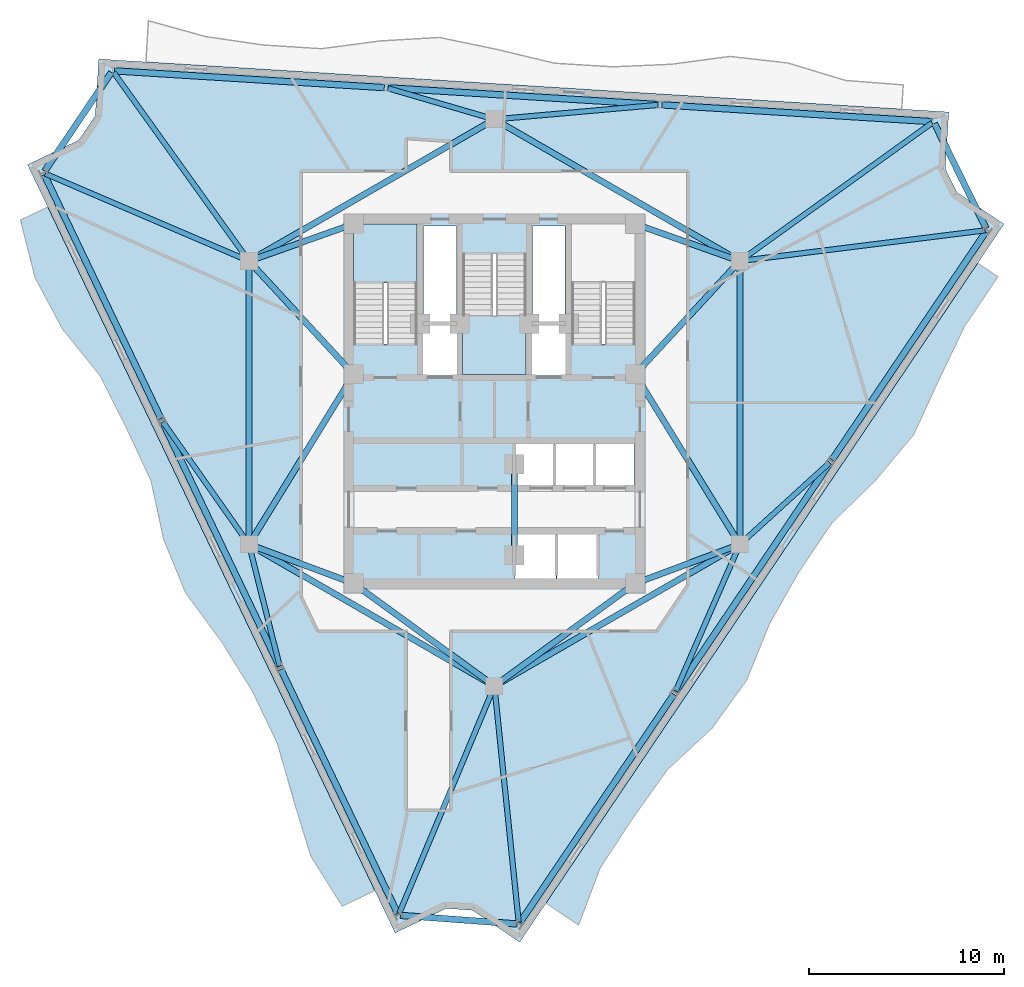
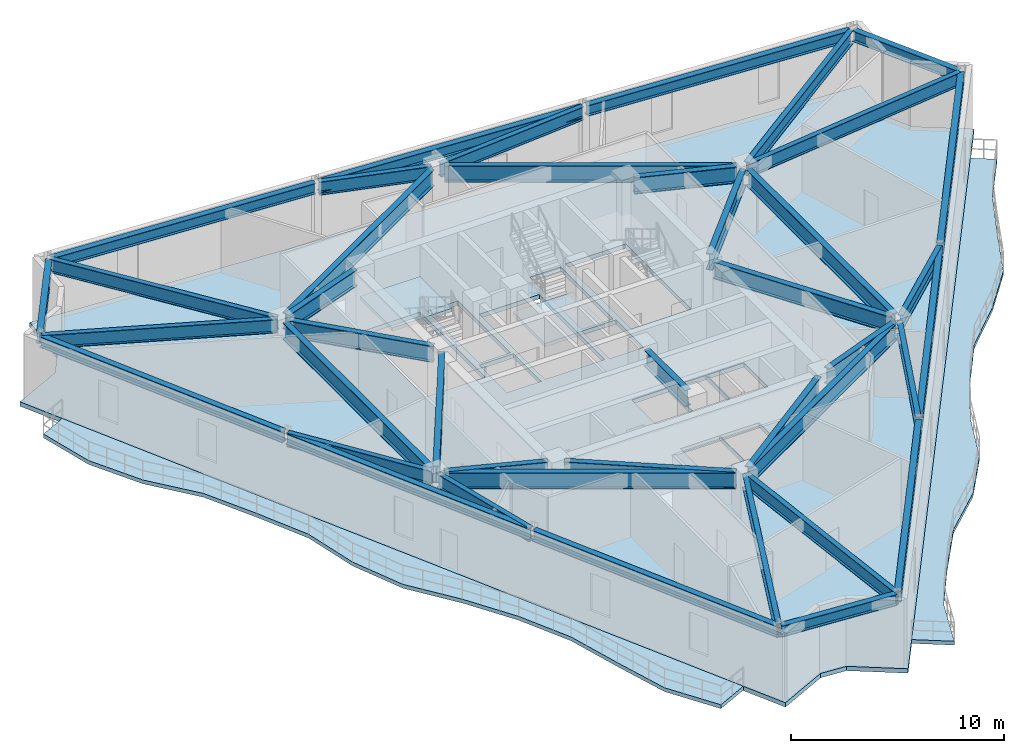
# One storey, part 4 of 11: 41 beams, 5 slabs, 2 elements without a shape of their own.
"""IFC4 building model written with IfcOpenShell, lengths in metres."""

import ifcopenshell
import ifcopenshell.guid

model = None  # the IFC model being written
_history = None  # IfcOwnerHistory: only IFC2X3 demands one
_inside = {}  # id of a spatial element -> (the spatial element, [elements in it])
_under = {}  # id of a project, library or spatial element -> (it, [spatial elements below it])
_declared = {}  # id of a project -> (the project, [libraries it declares])
_typed = {}  # id of a type object -> (the type object, [elements of that type])
_made_of = {}  # id of a material, layer set ... -> (it, [elements and type objects made of it])


def new_model(schema):
    """Start an empty IFC model of exactly this schema.

    Asked for "IFC4X3", IfcOpenShell would pick the latest addendum, in which some entities
    have other attributes; the version numbers below select the first issue.
    IFC2X3 requires an IfcOwnerHistory on every rooted entity: one is made here for all.
    """
    global model, _history
    if schema == "IFC4X3":
        model = ifcopenshell.file(schema_version=(4, 3, 0, 0))
    else:
        model = ifcopenshell.file(schema=schema)
    _inside.clear()
    _under.clear()
    _declared.clear()
    _typed.clear()
    _made_of.clear()
    _history = None
    if model.schema == "IFC2X3":
        org = make("IfcOrganization", Name="unknown")
        user = make(
            "IfcPersonAndOrganization",
            ThePerson=make("IfcPerson", FamilyName="unknown"),
            TheOrganization=org,
        )
        app = make(
            "IfcApplication",
            ApplicationDeveloper=org,
            Version="unknown",
            ApplicationFullName="unknown",
            ApplicationIdentifier="unknown",
        )
        _history = make(
            "IfcOwnerHistory",
            OwningUser=user,
            OwningApplication=app,
            ChangeAction="ADDED",
            CreationDate=0,
        )
    return model


def make(cls, **values):
    """One entity of the class cls with the attributes given. An attribute that is None is left unset."""
    return model.create_entity(
        cls, **{name: value for name, value in values.items() if value is not None}
    )


def rooted(cls, **values):
    """An entity with a GlobalId (a new one), such as an element, a storey or a relation."""
    return make(cls, GlobalId=ifcopenshell.guid.new(), OwnerHistory=_history, **values)


def si_unit(unit_type, name, prefix=None):
    """IfcSIUnit, for example si_unit("LENGTHUNIT", "METRE", prefix="MILLI")."""
    return make("IfcSIUnit", UnitType=unit_type, Prefix=prefix, Name=name)


def assignment(units):
    """IfcUnitAssignment: the units of a project."""
    return None if units is None else make("IfcUnitAssignment", Units=units)


def point(xyz):
    """IfcCartesianPoint."""
    return None if xyz is None else make("IfcCartesianPoint", Coordinates=xyz)


def direction(xyz):
    """IfcDirection."""
    return None if xyz is None else make("IfcDirection", DirectionRatios=xyz)


def frame(location, z_axis=None, x_axis=None):
    """IfcAxis2Placement3D, a coordinate frame: its origin and axes. An axis left out is left unset."""
    return make(
        "IfcAxis2Placement3D",
        Location=point(location),
        Axis=direction(z_axis),
        RefDirection=direction(x_axis),
    )


def frame_2d(location, x_axis=None):
    """IfcAxis2Placement2D, a coordinate frame in the plane: its origin and x axis."""
    return make(
        "IfcAxis2Placement2D", Location=point(location), RefDirection=direction(x_axis)
    )


def origin():
    """The frame at (0, 0, 0) with its axes left unset."""
    return frame((0.0, 0.0, 0.0))


def origin_2d():
    """The frame at (0, 0) in the plane with its x axis left unset."""
    return frame_2d((0.0, 0.0))


def place(relative_to, where):
    """IfcLocalPlacement: puts the frame where relative to a parent placement (None: the world)."""
    return make(
        "IfcLocalPlacement", PlacementRelTo=relative_to, RelativePlacement=where
    )


def context(
    kind, dimensions, precision=None, world=None, true_north=None, identifier=None
):
    """IfcGeometricRepresentationContext, for example the 3D "Model" context."""
    return make(
        "IfcGeometricRepresentationContext",
        ContextIdentifier=identifier,
        ContextType=kind,
        CoordinateSpaceDimension=dimensions,
        Precision=precision,
        WorldCoordinateSystem=world,
        TrueNorth=true_north,
    )


def subcontext(parent, identifier, kind, view, scale=None):
    """IfcGeometricRepresentationSubContext, for example "Body" below "Model"."""
    return make(
        "IfcGeometricRepresentationSubContext",
        ContextIdentifier=identifier,
        ContextType=kind,
        ParentContext=parent,
        TargetScale=scale,
        TargetView=view,
    )


def project(units=None, contexts=None):
    """IfcProject with its units and contexts."""
    return rooted(
        "IfcProject",
        Name="project",
        RepresentationContexts=contexts,
        UnitsInContext=assignment(units),
    )


def spatial(cls, under=None, at=None, **own):
    """A site, building, storey or space (cls), placed at a placement, below another one or the project."""
    s = rooted(cls, ObjectPlacement=at, **own)
    if under is not None:
        _under.setdefault(under.id(), (under, []))[1].append(s)
    return s


def polyline(points):
    """IfcPolyline through the points."""
    return make("IfcPolyline", Points=[point(p) for p in points])


def profile(cls, at=None, kind="AREA", **sizes):
    """A parametric profile (cls). Its sizes go by their IFC names, for example OverallWidth=200.0."""
    return make(cls, ProfileType=kind, Position=at, **sizes)


def i_section(**sizes):
    """IfcIShapeProfileDef."""
    return profile("IfcIShapeProfileDef", **sizes)


def outline(outer, holes=None, kind="AREA"):
    """IfcArbitraryClosedProfileDef: a profile drawn as a closed curve; with holes, ...WithVoids."""
    if holes is None:
        return make("IfcArbitraryClosedProfileDef", ProfileType=kind, OuterCurve=outer)
    return make(
        "IfcArbitraryProfileDefWithVoids",
        ProfileType=kind,
        OuterCurve=outer,
        InnerCurves=holes,
    )


def extrude(swept, where, along, depth):
    """IfcExtrudedAreaSolid: the profile swept, set in the frame where, extruded along a direction by depth."""
    return make(
        "IfcExtrudedAreaSolid",
        SweptArea=swept,
        Position=where,
        ExtrudedDirection=direction(along),
        Depth=depth,
    )


def shape(context_of_items, identifier, shape_type, items):
    """IfcShapeRepresentation: the items that make up one representation, for example the "Body"."""
    return make(
        "IfcShapeRepresentation",
        ContextOfItems=context_of_items,
        RepresentationIdentifier=identifier,
        RepresentationType=shape_type,
        Items=items,
    )


def material(Name=None, Category=None):
    """IfcMaterial."""
    return make("IfcMaterial", Name=Name, Category=Category)


def layer(
    of_material, thickness, ventilated=None, Name=None, Category=None, Priority=None
):
    """IfcMaterialLayer: one layer of a wall or slab, of a material (None: an air gap)."""
    return make(
        "IfcMaterialLayer",
        Material=of_material,
        LayerThickness=thickness,
        IsVentilated=ventilated,
        Name=Name,
        Category=Category,
        Priority=Priority,
    )


def layer_set(layers, Name=None):
    """IfcMaterialLayerSet."""
    return make("IfcMaterialLayerSet", MaterialLayers=layers, LayerSetName=Name)


def material_profile(
    of_material, cross_section, Name=None, Category=None, Priority=None
):
    """IfcMaterialProfile: a cross section and its material."""
    return make(
        "IfcMaterialProfile",
        Name=Name,
        Material=of_material,
        Profile=cross_section,
        Priority=Priority,
        Category=Category,
    )


def profile_set(profiles, Name=None, composite=None):
    """IfcMaterialProfileSet."""
    return make(
        "IfcMaterialProfileSet",
        Name=Name,
        MaterialProfiles=profiles,
        CompositeProfile=composite,
    )


def made_of(thing, what):
    """Note that an element or type object is made of a material, layer set ...; save() writes the relation."""
    if what is not None:
        _made_of.setdefault(what.id(), (what, []))[1].append(thing)
    return thing


def type_object(cls, material=None, **own):
    """A type object (cls), such as IfcWallType, which elements share."""
    return made_of(rooted(cls, **own), material)


def element(
    cls,
    number,
    at=None,
    inside=None,
    cuts=None,
    type_object=None,
    material=None,
    context=None,
    identifier="Body",
    shape_type=None,
    held_by="IfcProductDefinitionShape",
    body=None,
    shapes=None,
    **own,
):
    """One element of the class cls, such as IfcWall. Its Tag is "e" and its number.

    at: its placement. inside: the storey or other place that contains it. cuts: it is an
    opening in that element (IfcRelVoidsElement). A single representation is given by context,
    identifier, shape_type and body (its items); several are given by shapes. held_by: the class
    of the entity that holds the representations. save() writes the other relations.
    """
    e = rooted(cls, Tag="e%d" % number, ObjectPlacement=at, **own)
    if body is not None:
        shapes = [shape(context, identifier, shape_type, body)]
    if shapes is not None:
        e.Representation = make(held_by, Representations=shapes)
    if inside is not None:
        _inside.setdefault(inside.id(), (inside, []))[1].append(e)
    if cuts is not None:
        rooted(
            "IfcRelVoidsElement", RelatingBuildingElement=cuts, RelatedOpeningElement=e
        )
    if type_object is not None:
        _typed.setdefault(type_object.id(), (type_object, []))[1].append(e)
    return made_of(e, material)


def aggregate(whole, parts):
    """IfcRelAggregates: a whole, such as a stair, and the parts it consists of."""
    return rooted("IfcRelAggregates", RelatingObject=whole, RelatedObjects=parts)


def save(model, path):
    """Write the relations noted so far, then the file.

    IfcRelAggregates (storeys below a building ...), IfcRelContainedInSpatialStructure (elements
    in a storey), IfcRelDefinesByType, IfcRelAssociatesMaterial and IfcRelDeclares: one each for
    every whole, place, type object, material and project.
    """
    for whole, parts in _under.values():
        aggregate(whole, parts)
    for where, things in _inside.values():
        rooted(
            "IfcRelContainedInSpatialStructure",
            RelatedElements=things,
            RelatingStructure=where,
        )
    for kind, things in _typed.values():
        rooted("IfcRelDefinesByType", RelatedObjects=things, RelatingType=kind)
    for what, things in _made_of.values():
        rooted("IfcRelAssociatesMaterial", RelatedObjects=things, RelatingMaterial=what)
    for by, libraries in _declared.values():
        rooted("IfcRelDeclares", RelatingContext=by, RelatedDefinitions=libraries)
    model.write(path)


model = new_model("IFC4")

# Units and contexts
model_context = context("Model", 3, precision=1e-05, world=origin(), true_north=direction((0.0, 1.0)))
body_context = subcontext(model_context, "Body", "Model", "MODEL_VIEW")
ifc_project = project(units=[si_unit("LENGTHUNIT", "METRE"), si_unit("AREAUNIT", "SQUARE_METRE"), si_unit("VOLUMEUNIT", "CUBIC_METRE"), si_unit("PLANEANGLEUNIT", "RADIAN"), si_unit("MASSUNIT", "GRAM", prefix="KILO")], contexts=[model_context])

# Site, building, storey
site_placement = place(None, origin())
site = spatial("IfcSite", under=ifc_project, at=site_placement, CompositionType="ELEMENT")
building_placement = place(site_placement, origin())
building = spatial("IfcBuilding", under=site, at=building_placement, Name="Apsidion Concourse Tower", CompositionType="ELEMENT")
storey_placement = place(building_placement, frame((0.0, 0.0, 306.5)))
storey = spatial("IfcBuildingStorey", under=building, at=storey_placement, Name="L72", CompositionType="ELEMENT", Elevation=306.5)

# Beams
ifc_material_1 = material(Name="Structural steel ASTM A992 Grade 50", Category="steel")
ifc_material_profile_1 = material_profile(ifc_material_1, i_section(OverallWidth=0.31005859375, OverallDepth=0.931884765625, WebThickness=0.02099609375, FlangeThickness=0.034423828125, at=origin_2d()), Name="W36X210")
ifc_profile_set_1 = profile_set([ifc_material_profile_1], Name="Structural steel ASTM A992 Grade 50")
beam_type_1 = type_object("IfcBeamType", Name="BM-G-W36", PredefinedType="USERDEFINED", material=ifc_profile_set_1)
beam_1_placement = place(storey_placement, frame((-12.185302734375, -7.389892578125, 3.384033203125), z_axis=(0.936913021145, -0.349562570664, 0.0), x_axis=(0.349562570664, 0.936913021145, 0.0)))
element("IfcBeam", 1, at=beam_1_placement, inside=storey, type_object=beam_type_1, Name="L72 Core Coupling Girder IC1-SC1", ObjectType="GIRDER", PredefinedType="USERDEFINED", context=body_context, shape_type="SweptSolid", body=[
    extrude(i_section(OverallWidth=0.31005859375, OverallDepth=0.931884765625, WebThickness=0.02099609375, FlangeThickness=0.034423828125, at=origin_2d()), origin(), (0.0, 0.0, 1.0), 4.921142578125),
])
beam_2_placement = place(storey_placement, frame((-12.35009765625, -6.909423828125, 3.384033203125), z_axis=(0.524524009763, 0.851395656074, 0.0), x_axis=(-0.851395656074, 0.524524009763, 0.0)))
element("IfcBeam", 2, at=beam_2_placement, inside=storey, type_object=beam_type_1, Name="L72 Core Coupling Girder IC1-SC6", ObjectType="GIRDER", PredefinedType="USERDEFINED", context=body_context, shape_type="SweptSolid", body=[
    extrude(i_section(OverallWidth=0.31005859375, OverallDepth=0.931884765625, WebThickness=0.02099609375, FlangeThickness=0.034423828125, at=origin_2d()), origin(), (0.0, 0.0, 1.0), 9.41845703125),
])
beam_3_placement = place(storey_placement, frame((12.185302734375, -7.389892578125, 3.384033203125), z_axis=(-0.936913021145, -0.349562570664, 0.0), x_axis=(0.349562570664, -0.936913021145, 0.0)))
element("IfcBeam", 3, at=beam_3_placement, inside=storey, type_object=beam_type_1, Name="L72 Core Coupling Girder IC2-SC2", ObjectType="GIRDER", PredefinedType="USERDEFINED", context=body_context, shape_type="SweptSolid", body=[
    extrude(i_section(OverallWidth=0.31005859375, OverallDepth=0.931884765625, WebThickness=0.02099609375, FlangeThickness=0.034423828125, at=origin_2d()), origin(), (0.0, 0.0, 1.0), 4.921142578125),
])
beam_4_placement = place(storey_placement, frame((12.35009765625, -6.909423828125, 3.384033203125), z_axis=(-0.524524009763, 0.851395656074, 0.0), x_axis=(-0.851395656074, -0.524524009763, 0.0)))
element("IfcBeam", 4, at=beam_4_placement, inside=storey, type_object=beam_type_1, Name="L72 Core Coupling Girder IC2-SC3", ObjectType="GIRDER", PredefinedType="USERDEFINED", context=body_context, shape_type="SweptSolid", body=[
    extrude(i_section(OverallWidth=0.31005859375, OverallDepth=0.931884765625, WebThickness=0.02099609375, FlangeThickness=0.034423828125, at=origin_2d()), origin(), (0.0, 0.0, 1.0), 9.41845703125),
])
beam_5_placement = place(storey_placement, frame((12.28857421875, 6.956298828125, 3.384033203125), z_axis=(-0.678712876106, -0.73440372535, 0.0), x_axis=(0.73440372535, -0.678712876106, 0.0)))
element("IfcBeam", 5, at=beam_5_placement, inside=storey, type_object=beam_type_1, Name="L72 Core Coupling Girder IC3-SC3", ObjectType="GIRDER", PredefinedType="USERDEFINED", context=body_context, shape_type="SweptSolid", body=[
    extrude(i_section(OverallWidth=0.31005859375, OverallDepth=0.931884765625, WebThickness=0.02099609375, FlangeThickness=0.034423828125, at=origin_2d()), origin(), (0.0, 0.0, 1.0), 7.097412109375),
])
beam_6_placement = place(storey_placement, frame((12.18310546875, 7.383544921875, 3.384033203125), z_axis=(-0.942533844539, 0.334110688094, 0.0), x_axis=(-0.334110688094, -0.942533844539, 0.0)))
element("IfcBeam", 6, at=beam_6_placement, inside=storey, type_object=beam_type_1, Name="L72 Core Coupling Girder IC3-SC4", ObjectType="GIRDER", PredefinedType="USERDEFINED", context=body_context, shape_type="SweptSolid", body=[
    extrude(i_section(OverallWidth=0.31005859375, OverallDepth=0.931884765625, WebThickness=0.02099609375, FlangeThickness=0.034423828125, at=origin_2d()), origin(), (0.0, 0.0, 1.0), 4.886962890625),
])
beam_7_placement = place(storey_placement, frame((-12.28857421875, 6.956298828125, 3.384033203125), z_axis=(0.678712876106, -0.73440372535, 0.0), x_axis=(0.73440372535, 0.678712876106, 0.0)))
element("IfcBeam", 7, at=beam_7_placement, inside=storey, type_object=beam_type_1, Name="L72 Core Coupling Girder IC5-SC6", ObjectType="GIRDER", PredefinedType="USERDEFINED", context=body_context, shape_type="SweptSolid", body=[
    extrude(i_section(OverallWidth=0.31005859375, OverallDepth=0.931884765625, WebThickness=0.02099609375, FlangeThickness=0.034423828125, at=origin_2d()), origin(), (0.0, 0.0, 1.0), 7.097412109375),
])
beam_8_placement = place(storey_placement, frame((-12.18310546875, 7.383544921875, 3.384033203125), z_axis=(0.942533844539, 0.334110688094, 0.0), x_axis=(-0.334110688094, 0.942533844539, 0.0)))
element("IfcBeam", 8, at=beam_8_placement, inside=storey, type_object=beam_type_1, Name="L72 Core Coupling Girder IC5-SC5", ObjectType="GIRDER", PredefinedType="USERDEFINED", context=body_context, shape_type="SweptSolid", body=[
    extrude(i_section(OverallWidth=0.31005859375, OverallDepth=0.931884765625, WebThickness=0.02099609375, FlangeThickness=0.034423828125, at=origin_2d()), origin(), (0.0, 0.0, 1.0), 4.886962890625),
])
for number, where, z_axis, x_axis, name in (
    (9, (-0.3232421875, -14.264404296875, 3.384033203125), (-0.807993498909, 0.589191399905, 0.0), (-0.589191399905, -0.807993498909, 0.0), "L72 Core Coupling Girder IC6-SC1"),
    (10, (0.3232421875, -14.264404296875, 3.384033203125), (0.807993498909, 0.589191399905, 0.0), (-0.589191399905, 0.807993498909, 0.0), "L72 Core Coupling Girder IC6-SC2"),
):
    element("IfcBeam", number, at=place(storey_placement, frame(where, z_axis=z_axis, x_axis=x_axis)), inside=storey, type_object=beam_type_1, Name=name, ObjectType="GIRDER", PredefinedType="USERDEFINED", context=body_context, shape_type="SweptSolid", body=[
        extrude(i_section(OverallWidth=0.31005859375, OverallDepth=0.931884765625, WebThickness=0.02099609375, FlangeThickness=0.034423828125, at=origin_2d()), origin(), (0.0, 0.0, 1.0), 8.11083984375),
    ])
beam_9_placement = place(storey_placement, frame((-12.56005859375, -6.85009765625, 3.384033203125), z_axis=(0.0, 1.0, 0.0), x_axis=(-1.0, 0.0, 0.0)))
element("IfcBeam", 11, at=beam_9_placement, inside=storey, type_object=beam_type_1, Name="L72 Core Coupling Girder IC1-IC5", ObjectType="GIRDER", PredefinedType="USERDEFINED", context=body_context, shape_type="SweptSolid", body=[
    extrude(i_section(OverallWidth=0.31005859375, OverallDepth=0.931884765625, WebThickness=0.02099609375, FlangeThickness=0.034423828125, at=origin_2d()), origin(), (0.0, 0.0, 1.0), 13.7001953125),
])
for number, where, z_axis, x_axis, name in (
    (12, (-12.213623046875, 7.449951171875, 3.384033203125), (0.866070471464, 0.499921932364, 0.0), (-0.499921932364, 0.866070471464, 0.0), "L72 Core Coupling Girder IC5-IC4"),
    (13, (0.346435546875, 14.300048828125, 3.384033203125), (0.866070471464, -0.499921932364, 0.0), (0.499921932364, 0.866070471464, 0.0), "L72 Core Coupling Girder IC4-IC3"),
):
    element("IfcBeam", number, at=place(storey_placement, frame(where, z_axis=z_axis, x_axis=x_axis)), inside=storey, type_object=beam_type_1, Name=name, ObjectType="GIRDER", PredefinedType="USERDEFINED", context=body_context, shape_type="SweptSolid", body=[
        extrude(i_section(OverallWidth=0.31005859375, OverallDepth=0.931884765625, WebThickness=0.02099609375, FlangeThickness=0.034423828125, at=origin_2d()), origin(), (0.0, 0.0, 1.0), 13.702392578125),
    ])
beam_10_placement = place(storey_placement, frame((12.56005859375, 6.85009765625, 3.384033203125), z_axis=(0.0, -1.0, 0.0), x_axis=(1.0, 0.0, 0.0)))
element("IfcBeam", 14, at=beam_10_placement, inside=storey, type_object=beam_type_1, Name="L72 Core Coupling Girder IC3-IC2", ObjectType="GIRDER", PredefinedType="USERDEFINED", context=body_context, shape_type="SweptSolid", body=[
    extrude(i_section(OverallWidth=0.31005859375, OverallDepth=0.931884765625, WebThickness=0.02099609375, FlangeThickness=0.034423828125, at=origin_2d()), origin(), (0.0, 0.0, 1.0), 13.7001953125),
])
for number, where, z_axis, x_axis, name in (
    (15, (12.213623046875, -7.449951171875, 3.384033203125), (-0.866070471464, -0.499921932364, 0.0), (0.499921932364, -0.866070471464, 0.0), "L72 Core Coupling Girder IC2-IC6"),
    (16, (-0.346435546875, -14.300048828125, 3.384033203125), (-0.866070471464, 0.499921932364, 0.0), (-0.499921932364, -0.866070471464, 0.0), "L72 Core Coupling Girder IC6-IC1"),
):
    element("IfcBeam", number, at=place(storey_placement, frame(where, z_axis=z_axis, x_axis=x_axis)), inside=storey, type_object=beam_type_1, Name=name, ObjectType="GIRDER", PredefinedType="USERDEFINED", context=body_context, shape_type="SweptSolid", body=[
        extrude(i_section(OverallWidth=0.31005859375, OverallDepth=0.931884765625, WebThickness=0.02099609375, FlangeThickness=0.034423828125, at=origin_2d()), origin(), (0.0, 0.0, 1.0), 13.702392578125),
    ])
beam_11_placement = place(storey_placement, frame((1.02490234375, -3.550048828125, 3.384033203125), z_axis=(0.0, -1.0, 0.0), x_axis=(1.0, 0.0, 0.0)))
element("IfcBeam", 17, at=beam_11_placement, inside=storey, type_object=beam_type_1, Name="L72 Core Coupling Girder CC5-CC6", ObjectType="GIRDER", PredefinedType="USERDEFINED", context=body_context, shape_type="SweptSolid", body=[
    extrude(i_section(OverallWidth=0.31005859375, OverallDepth=0.931884765625, WebThickness=0.02099609375, FlangeThickness=0.034423828125, at=origin_2d()), origin(), (0.0, 0.0, 1.0), 3.849853515625),
])
ifc_material_profile_2 = material_profile(ifc_material_1, i_section(OverallWidth=0.324951171875, OverallDepth=0.616943359375, WebThickness=0.013916015625, FlangeThickness=0.021484375, at=origin_2d()), Name="W24X117")
ifc_profile_set_2 = profile_set([ifc_material_profile_2], Name="Structural steel ASTM A992 Grade 50")
beam_type_2 = type_object("IfcBeamType", Name="BM-SP-W24", PredefinedType="SPANDREL", material=ifc_profile_set_2)
beam_12_placement = place(storey_placement, frame((-23.0302734375, 11.66845703125, 3.54150390625), z_axis=(0.431360581796, -0.902179609874, 0.0), x_axis=(0.902179609874, 0.431360581796, 0.0)))
element("IfcBeam", 18, at=beam_12_placement, inside=storey, type_object=beam_type_2, Name="L72 Perimeter Spandrel Girder SP-01", PredefinedType="SPANDREL", context=body_context, shape_type="SweptSolid", body=[
    extrude(i_section(OverallWidth=0.324951171875, OverallDepth=0.616943359375, WebThickness=0.013916015625, FlangeThickness=0.021484375, at=origin_2d()), origin(), (0.0, 0.0, 1.0), 13.834716796875),
])
beam_13_placement = place(storey_placement, frame((-16.976318359375, -0.993408203125, 3.54150390625), z_axis=(0.43136744944, -0.902176326204, 0.0), x_axis=(0.902176326204, 0.43136744944, 0.0)))
element("IfcBeam", 19, at=beam_13_placement, inside=storey, type_object=beam_type_2, Name="L72 Perimeter Spandrel Girder SP-02", PredefinedType="SPANDREL", context=body_context, shape_type="SweptSolid", body=[
    extrude(i_section(OverallWidth=0.324951171875, OverallDepth=0.616943359375, WebThickness=0.013916015625, FlangeThickness=0.021484375, at=origin_2d()), origin(), (0.0, 0.0, 1.0), 13.83447265625),
])
beam_14_placement = place(storey_placement, frame((-10.92236328125, -13.655029296875, 3.54150390625), z_axis=(0.431360581796, -0.902179609874, 0.0), x_axis=(0.902179609874, 0.431360581796, 0.0)))
element("IfcBeam", 20, at=beam_14_placement, inside=storey, type_object=beam_type_2, Name="L72 Perimeter Spandrel Girder SP-03", PredefinedType="SPANDREL", context=body_context, shape_type="SweptSolid", body=[
    extrude(i_section(OverallWidth=0.324951171875, OverallDepth=0.616943359375, WebThickness=0.013916015625, FlangeThickness=0.021484375, at=origin_2d()), origin(), (0.0, 0.0, 1.0), 13.834716796875),
])
beam_15_placement = place(storey_placement, frame((-4.81201171875, -26.234130859375, 3.54150390625), z_axis=(0.997286428853, -0.073619147134, 0.0), x_axis=(0.073619147134, 0.997286428853, 0.0)))
element("IfcBeam", 21, at=beam_15_placement, inside=storey, type_object=beam_type_2, Name="L72 Perimeter Spandrel Girder SP-04", PredefinedType="SPANDREL", context=body_context, shape_type="SweptSolid", body=[
    extrude(i_section(OverallWidth=0.324951171875, OverallDepth=0.616943359375, WebThickness=0.013916015625, FlangeThickness=0.021484375, at=origin_2d()), origin(), (0.0, 0.0, 1.0), 5.982421875),
])
beam_16_placement = place(storey_placement, frame((1.309814453125, -26.59912109375, 3.54150390625), z_axis=(0.559201815781, 0.829031561056, 0.0), x_axis=(-0.829031561056, 0.559201815781, 0.0)))
element("IfcBeam", 22, at=beam_16_placement, inside=storey, type_object=beam_type_2, Name="L72 Perimeter Spandrel Girder SP-05", PredefinedType="SPANDREL", context=body_context, shape_type="SweptSolid", body=[
    extrude(i_section(OverallWidth=0.324951171875, OverallDepth=0.616943359375, WebThickness=0.013916015625, FlangeThickness=0.021484375, at=origin_2d()), origin(), (0.0, 0.0, 1.0), 14.07958984375),
])
beam_17_placement = place(storey_placement, frame((9.294921875, -14.760986328125, 3.54150390625), z_axis=(0.559189897853, 0.829039599862, 0.0), x_axis=(-0.829039599862, 0.559189897853, 0.0)))
element("IfcBeam", 23, at=beam_17_placement, inside=storey, type_object=beam_type_2, Name="L72 Perimeter Spandrel Girder SP-06", PredefinedType="SPANDREL", context=body_context, shape_type="SweptSolid", body=[
    extrude(i_section(OverallWidth=0.324951171875, OverallDepth=0.616943359375, WebThickness=0.013916015625, FlangeThickness=0.021484375, at=origin_2d()), origin(), (0.0, 0.0, 1.0), 14.079345703125),
])
beam_18_placement = place(storey_placement, frame((17.27978515625, -2.9228515625, 3.54150390625), z_axis=(0.559201815781, 0.829031561056, 0.0), x_axis=(-0.829031561056, 0.559201815781, 0.0)))
element("IfcBeam", 24, at=beam_18_placement, inside=storey, type_object=beam_type_2, Name="L72 Perimeter Spandrel Girder SP-07", PredefinedType="SPANDREL", context=body_context, shape_type="SweptSolid", body=[
    extrude(i_section(OverallWidth=0.324951171875, OverallDepth=0.616943359375, WebThickness=0.013916015625, FlangeThickness=0.021484375, at=origin_2d()), origin(), (0.0, 0.0, 1.0), 14.07958984375),
])
beam_19_placement = place(storey_placement, frame((25.164794921875, 8.922119140625, 3.54150390625), z_axis=(-0.441884134894, 0.897072132734, 0.0), x_axis=(-0.897072132734, -0.441884134894, 0.0)))
element("IfcBeam", 25, at=beam_19_placement, inside=storey, type_object=beam_type_2, Name="L72 Perimeter Spandrel Girder SP-08", PredefinedType="SPANDREL", context=body_context, shape_type="SweptSolid", body=[
    extrude(i_section(OverallWidth=0.324951171875, OverallDepth=0.616943359375, WebThickness=0.013916015625, FlangeThickness=0.021484375, at=origin_2d()), origin(), (0.0, 0.0, 1.0), 5.982421875),
])
beam_20_placement = place(storey_placement, frame((22.377197265625, 14.384765625, 3.54150390625), z_axis=(-0.998077561187, 0.06197726886, 0.0), x_axis=(-0.06197726886, -0.998077561187, 0.0)))
element("IfcBeam", 26, at=beam_20_placement, inside=storey, type_object=beam_type_2, Name="L72 Perimeter Spandrel Girder SP-09", PredefinedType="SPANDREL", context=body_context, shape_type="SweptSolid", body=[
    extrude(i_section(OverallWidth=0.324951171875, OverallDepth=0.616943359375, WebThickness=0.013916015625, FlangeThickness=0.021484375, at=origin_2d()), origin(), (0.0, 0.0, 1.0), 13.83447265625),
])
for number, where, z_axis, x_axis, name in (
    (27, (8.36962890625, 15.254638671875, 3.54150390625), (-0.998076537228, 0.061993756414, 0.0), (-0.061993756414, -0.998076537228, 0.0), "L72 Perimeter Spandrel Girder SP-10"),
    (28, (-5.637939453125, 16.12451171875, 3.54150390625), (-0.998076537228, 0.061993756414, 0.0), (-0.061993756414, -0.998076537228, 0.0), "L72 Perimeter Spandrel Girder SP-11"),
):
    element("IfcBeam", number, at=place(storey_placement, frame(where, z_axis=z_axis, x_axis=x_axis)), inside=storey, type_object=beam_type_2, Name=name, PredefinedType="SPANDREL", context=body_context, shape_type="SweptSolid", body=[
        extrude(i_section(OverallWidth=0.324951171875, OverallDepth=0.616943359375, WebThickness=0.013916015625, FlangeThickness=0.021484375, at=origin_2d()), origin(), (0.0, 0.0, 1.0), 13.834716796875),
    ])
beam_21_placement = place(storey_placement, frame((-19.601806640625, 16.905517578125, 3.54150390625), z_axis=(-0.559174891641, -0.829049721403, 0.0), x_axis=(0.829049721403, -0.559174891641, 0.0)))
element("IfcBeam", 29, at=beam_21_placement, inside=storey, type_object=beam_type_2, Name="L72 Perimeter Spandrel Girder SP-12", PredefinedType="SPANDREL", context=body_context, shape_type="SweptSolid", body=[
    extrude(i_section(OverallWidth=0.324951171875, OverallDepth=0.616943359375, WebThickness=0.013916015625, FlangeThickness=0.021484375, at=origin_2d()), origin(), (0.0, 0.0, 1.0), 6.108154296875),
])
ifc_material_profile_3 = material_profile(ifc_material_1, i_section(OverallWidth=0.26806640625, OverallDepth=0.77001953125, WebThickness=0.015625, FlangeThickness=0.025390625, at=origin_2d()), Name="W30X132")
ifc_profile_set_3 = profile_set([ifc_material_profile_3], Name="Structural steel ASTM A992 Grade 50")
beam_type_3 = type_object("IfcBeamType", Name="BM-SP-W30", PredefinedType="SPANDREL", material=ifc_profile_set_3)
beam_22_placement = place(storey_placement, frame((-12.76220703125, 7.336669921875, 3.465087890625), z_axis=(-0.919050742632, 0.3941392298, 0.0), x_axis=(-0.3941392298, -0.919050742632, 0.0)))
element("IfcBeam", 30, at=beam_22_placement, inside=storey, type_object=beam_type_3, Name="L72 Radial Floor Girder RAD-01", PredefinedType="SPANDREL", context=body_context, shape_type="SweptSolid", body=[
    extrude(i_section(OverallWidth=0.26806640625, OverallDepth=0.77001953125, WebThickness=0.015625, FlangeThickness=0.025390625, at=origin_2d()), origin(), (0.0, 0.0, 1.0), 11.119384765625),
])
beam_23_placement = place(storey_placement, frame((-12.6865234375, -7.070068359375, 3.465087890625), z_axis=(-0.574897998258, 0.818225086146, 0.0), x_axis=(-0.818225086146, -0.574897998258, 0.0)))
element("IfcBeam", 31, at=beam_23_placement, inside=storey, type_object=beam_type_3, Name="L72 Radial Floor Girder RAD-02", PredefinedType="SPANDREL", context=body_context, shape_type="SweptSolid", body=[
    extrude(i_section(OverallWidth=0.26806640625, OverallDepth=0.77001953125, WebThickness=0.015625, FlangeThickness=0.025390625, at=origin_2d()), origin(), (0.0, 0.0, 1.0), 7.436767578125),
])
beam_24_placement = place(storey_placement, frame((-12.506103515625, -7.46337890625, 3.465087890625), z_axis=(0.244807492941, -0.969571705136, 0.0), x_axis=(0.969571705136, 0.244807492941, 0.0)))
element("IfcBeam", 32, at=beam_24_placement, inside=storey, type_object=beam_type_3, Name="L72 Radial Floor Girder RAD-03", PredefinedType="SPANDREL", context=body_context, shape_type="SweptSolid", body=[
    extrude(i_section(OverallWidth=0.26806640625, OverallDepth=0.77001953125, WebThickness=0.015625, FlangeThickness=0.025390625, at=origin_2d()), origin(), (0.0, 0.0, 1.0), 6.193115234375),
])
beam_25_placement = place(storey_placement, frame((-0.0849609375, -14.702880859375, 3.465087890625), z_axis=(-0.386326743156, -0.922361993755, 0.0), x_axis=(0.922361993755, -0.386326743156, 0.0)))
element("IfcBeam", 33, at=beam_25_placement, inside=storey, type_object=beam_type_3, Name="L72 Radial Floor Girder RAD-04", PredefinedType="SPANDREL", context=body_context, shape_type="SweptSolid", body=[
    extrude(i_section(OverallWidth=0.26806640625, OverallDepth=0.77001953125, WebThickness=0.015625, FlangeThickness=0.025390625, at=origin_2d()), origin(), (0.0, 0.0, 1.0), 12.393798828125),
])
beam_26_placement = place(storey_placement, frame((0.0224609375, -14.71875, 3.465087890625), z_axis=(0.10241374793, -0.994741888248, 0.0), x_axis=(0.994741888248, 0.10241374793, 0.0)))
element("IfcBeam", 34, at=beam_26_placement, inside=storey, type_object=beam_type_3, Name="L72 Radial Floor Girder RAD-05", PredefinedType="SPANDREL", context=body_context, shape_type="SweptSolid", body=[
    extrude(i_section(OverallWidth=0.26806640625, OverallDepth=0.77001953125, WebThickness=0.015625, FlangeThickness=0.025390625, at=origin_2d()), origin(), (0.0, 0.0, 1.0), 11.926513671875),
])
beam_27_placement = place(storey_placement, frame((12.4716796875, -7.45166015625, 3.465087890625), z_axis=(-0.400675776745, -0.916219909154, 0.0), x_axis=(0.916219909154, -0.400675776745, 0.0)))
element("IfcBeam", 35, at=beam_27_placement, inside=storey, type_object=beam_type_3, Name="L72 Radial Floor Girder RAD-06", PredefinedType="SPANDREL", context=body_context, shape_type="SweptSolid", body=[
    extrude(i_section(OverallWidth=0.26806640625, OverallDepth=0.77001953125, WebThickness=0.015625, FlangeThickness=0.025390625, at=origin_2d()), origin(), (0.0, 0.0, 1.0), 7.968017578125),
])
beam_28_placement = place(storey_placement, frame((12.72265625, -7.101806640625, 3.465087890625), z_axis=(0.739604100637, 0.673042178709, 0.0), x_axis=(-0.673042178709, 0.739604100637, 0.0)))
element("IfcBeam", 36, at=beam_28_placement, inside=storey, type_object=beam_type_3, Name="L72 Radial Floor Girder RAD-07", PredefinedType="SPANDREL", context=body_context, shape_type="SweptSolid", body=[
    extrude(i_section(OverallWidth=0.26806640625, OverallDepth=0.77001953125, WebThickness=0.015625, FlangeThickness=0.025390625, at=origin_2d()), origin(), (0.0, 0.0, 1.0), 5.986083984375),
])
beam_29_placement = place(storey_placement, frame((12.7783203125, 7.27734375, 3.465087890625), z_axis=(0.99226487514, 0.124138702924, 0.0), x_axis=(-0.124138702924, 0.99226487514, 0.0)))
element("IfcBeam", 37, at=beam_29_placement, inside=storey, type_object=beam_type_3, Name="L72 Radial Floor Girder RAD-08", PredefinedType="SPANDREL", context=body_context, shape_type="SweptSolid", body=[
    extrude(i_section(OverallWidth=0.26806640625, OverallDepth=0.77001953125, WebThickness=0.015625, FlangeThickness=0.025390625, at=origin_2d()), origin(), (0.0, 0.0, 1.0), 12.427490234375),
])
beam_30_placement = place(storey_placement, frame((12.738525390625, 7.37841796875, 3.465087890625), z_axis=(0.811991962087, 0.583668616174, 0.0), x_axis=(-0.583668616174, 0.811991962087, 0.0)))
element("IfcBeam", 38, at=beam_30_placement, inside=storey, type_object=beam_type_3, Name="L72 Radial Floor Girder RAD-09", PredefinedType="SPANDREL", context=body_context, shape_type="SweptSolid", body=[
    extrude(i_section(OverallWidth=0.26806640625, OverallDepth=0.77001953125, WebThickness=0.015625, FlangeThickness=0.025390625, at=origin_2d()), origin(), (0.0, 0.0, 1.0), 11.8935546875),
])
beam_31_placement = place(storey_placement, frame((0.218994140625, 14.519287109375, 3.465087890625), z_axis=(0.99611631584, 0.088047063082, 0.0), x_axis=(-0.088047063082, 0.99611631584, 0.0)))
element("IfcBeam", 39, at=beam_31_placement, inside=storey, type_object=beam_type_3, Name="L72 Radial Floor Girder RAD-10", PredefinedType="SPANDREL", context=body_context, shape_type="SweptSolid", body=[
    extrude(i_section(OverallWidth=0.26806640625, OverallDepth=0.77001953125, WebThickness=0.015625, FlangeThickness=0.025390625, at=origin_2d()), origin(), (0.0, 0.0, 1.0), 8.1826171875),
])
beam_32_placement = place(storey_placement, frame((-0.211181640625, 14.561767578125, 3.465087890625), z_axis=(-0.959858385002, 0.28048508114, 0.0), x_axis=(-0.28048508114, -0.959858385002, 0.0)))
element("IfcBeam", 40, at=beam_32_placement, inside=storey, type_object=beam_type_3, Name="L72 Radial Floor Girder RAD-11", PredefinedType="SPANDREL", context=body_context, shape_type="SweptSolid", body=[
    extrude(i_section(OverallWidth=0.26806640625, OverallDepth=0.77001953125, WebThickness=0.015625, FlangeThickness=0.025390625, at=origin_2d()), origin(), (0.0, 0.0, 1.0), 5.44970703125),
])
beam_33_placement = place(storey_placement, frame((-12.688232421875, 7.4287109375, 3.465087890625), z_axis=(-0.582890152065, 0.812550964941, 0.0), x_axis=(-0.812550964941, -0.582890152065, 0.0)))
element("IfcBeam", 41, at=beam_33_placement, inside=storey, type_object=beam_type_3, Name="L72 Radial Floor Girder RAD-12", PredefinedType="SPANDREL", context=body_context, shape_type="SweptSolid", body=[
    extrude(i_section(OverallWidth=0.26806640625, OverallDepth=0.77001953125, WebThickness=0.015625, FlangeThickness=0.025390625, at=origin_2d()), origin(), (0.0, 0.0, 1.0), 11.664794921875),
])

# Slabs
ifc_material_2 = material(Name="Concrete C50/60", Category="concrete")
ifc_layer_1 = layer(ifc_material_2, 0.219970703125)
ifc_layer_set_1 = layer_set([ifc_layer_1], Name="Concrete C50/60")
slab_type_1 = type_object("IfcSlabType", Name="SL-BAL-220", PredefinedType="FLOOR", material=ifc_layer_set_1)
slab_1_placement = place(storey_placement, frame((0.0, 0.0, -0.219970703125)))
element("IfcSlab", 42, at=slab_1_placement, inside=storey, type_object=slab_type_1, Name="L72 Face 1 Rippling Balcony Slab", PredefinedType="FLOOR", context=body_context, shape_type="SweptSolid", body=[
    extrude(outline(polyline([(-22.85546875, 10.015869140625), (-21.56787109375, 7.324951171875), (-20.280517578125, 4.634033203125), (-18.992919921875, 1.943115234375), (-17.70556640625, -0.747802734375), (-16.41796875, -3.438720703125), (-15.130615234375, -6.129638671875), (-13.843017578125, -8.820556640625), (-12.555419921875, -11.51171875), (-11.26806640625, -14.202392578125), (-9.980712890625, -16.893310546875), (-8.693115234375, -19.58447265625), (-7.405517578125, -22.275390625), (-6.1181640625, -24.96630859375), (-7.78662109375, -25.764404296875), (-9.38818359375, -23.223876953125), (-10.275390625, -20.341552734375), (-11.108154296875, -17.432861328125), (-12.3955078125, -14.741943359375), (-13.98486328125, -12.1953125), (-15.792724609375, -9.75341796875), (-16.926513671875, -6.989013671875), (-17.573974609375, -3.99169921875), (-18.8330078125, -1.287353515625), (-20.177490234375, 1.376220703125), (-22.0986328125, 3.76416015625), (-23.50634765625, 6.397705078125), (-24.253662109375, 9.346923828125), (-22.85546875, 10.015869140625)])), origin(), (0.0, 0.0, 1.0), 0.219970703125),
])
slab_2_placement = place(storey_placement, frame((0.0, 0.0, -0.219970703125)))
element("IfcSlab", 43, at=slab_2_placement, inside=storey, type_object=slab_type_1, Name="L72 Face 2 Rippling Balcony Slab", PredefinedType="FLOOR", context=body_context, shape_type="SweptSolid", body=[
    extrude(outline(polyline([(2.639404296875, -25.61181640625), (4.339111328125, -23.091796875), (6.038818359375, -20.572021484375), (7.73828125, -18.052001953125), (9.43798828125, -15.531982421875), (11.1376953125, -13.01220703125), (12.83740234375, -10.4921875), (14.537353515625, -7.972412109375), (16.237060546875, -5.452392578125), (17.936767578125, -2.9326171875), (19.636474609375, -0.41259765625), (21.336181640625, 2.107421875), (23.035888671875, 4.627197265625), (24.735595703125, 7.147216796875), (25.771728515625, 6.4482421875), (24.072021484375, 3.92822265625), (22.739501953125, 1.16064453125), (21.453857421875, -1.638427734375), (19.495361328125, -3.98388671875), (17.273193359375, -6.1513671875), (15.573486328125, -8.67138671875), (14.072509765625, -11.3251953125), (12.9033203125, -14.202880859375), (11.127197265625, -16.67138671875), (8.840576171875, -18.79541015625), (7.074951171875, -21.27099609375), (5.41015625, -23.814208984375), (4.305419921875, -26.735595703125), (2.639404296875, -25.61181640625)])), origin(), (0.0, 0.0, 1.0), 0.219970703125),
])
ifc_layer_2 = layer(ifc_material_2, 0.25)
ifc_layer_set_2 = layer_set([ifc_layer_2], Name="Concrete C50/60")
slab_type_2 = type_object("IfcSlabType", Name="SL-FLR-250", PredefinedType="FLOOR", material=ifc_layer_set_2)
slab_3_placement = place(storey_placement, frame((0.0, 0.0, -0.25)))
element("IfcSlab", 44, at=slab_3_placement, inside=storey, type_object=slab_type_2, Name="L72 Structural Floor Slab", PredefinedType="FLOOR", context=body_context, shape_type="SweptSolid", body=[
    extrude(outline(polyline([(-20.24365234375, 17.58837890625), (-20.424560546875, 14.688232421875), (-21.27001953125, 13.43505859375), (-23.89111328125, 12.180908203125), (-5.082275390625, -27.131103515625), (-2.461181640625, -25.877197265625), (-1.11181640625, -25.9765625), (1.297119140625, -27.6015625), (26.07763671875, 9.136962890625), (23.668701171875, 10.76171875), (23.07080078125, 11.9755859375), (23.251708984375, 14.875732421875), (-20.24365234375, 17.58837890625)]), holes=[polyline([(-3.949951171875, 3.0), (-3.949951171875, 9.14990234375), (-7.199951171875, 9.14990234375), (-7.199951171875, 3.0), (-3.949951171875, 3.0)]), polyline([(7.199951171875, 3.0), (7.199951171875, 9.14990234375), (3.949951171875, 9.14990234375), (3.949951171875, 3.0), (7.199951171875, 3.0)]), polyline([(-1.625, 7.60009765625), (-1.625, 1.449951171875), (1.625, 1.449951171875), (1.625, 7.60009765625), (-1.625, 7.60009765625)]), polyline([(1.054931640625, -4.300048828125), (3.044921875, -4.300048828125), (3.044921875, -2.050048828125), (1.054931640625, -2.050048828125), (1.054931640625, -4.300048828125)]), polyline([(3.10498046875, -4.300048828125), (5.094970703125, -4.300048828125), (5.094970703125, -2.050048828125), (3.10498046875, -2.050048828125), (3.10498046875, -4.300048828125)]), polyline([(5.155029296875, -4.300048828125), (7.14501953125, -4.300048828125), (7.14501953125, -2.050048828125), (5.155029296875, -2.050048828125), (5.155029296875, -4.300048828125)]), polyline([(1.044921875, -9.0), (3.155029296875, -9.0), (3.155029296875, -6.64990234375), (1.044921875, -6.64990234375), (1.044921875, -9.0)]), polyline([(3.195068359375, -9.0), (5.304931640625, -9.0), (5.304931640625, -6.64990234375), (3.195068359375, -6.64990234375), (3.195068359375, -9.0)]), polyline([(-3.7099609375, 1.39990234375), (-1.85009765625, 1.39990234375), (-1.85009765625, 4.0), (-3.7099609375, 4.0), (-3.7099609375, 1.39990234375)]), polyline([(1.85009765625, 1.39990234375), (3.7099609375, 1.39990234375), (3.7099609375, 4.0), (1.85009765625, 4.0), (1.85009765625, 1.39990234375)]), polyline([(-3.6201171875, 4.14990234375), (-1.93994140625, 4.14990234375), (-1.93994140625, 9.050048828125), (-3.6201171875, 9.050048828125), (-3.6201171875, 4.14990234375)]), polyline([(1.93994140625, 4.14990234375), (3.6201171875, 4.14990234375), (3.6201171875, 9.050048828125), (1.93994140625, 9.050048828125), (1.93994140625, 4.14990234375)])]), origin(), (0.0, 0.0, 1.0), 0.25),
])

# Stair, slab
ifc_material_3 = material(Name="Precast concrete C40/50", Category="concrete")
stair_type = type_object("IfcStairType", Name="ST-DL-1550", PredefinedType="HALF_TURN_STAIR", material=ifc_material_3)
stair_1_placement = place(storey_placement, origin())
stair_1 = element("IfcStair", 45, at=stair_1_placement, inside=storey, type_object=stair_type, Name="L72 Protected Core Exit Stair ST1", PredefinedType="HALF_TURN_STAIR")
ifc_layer_3 = layer(ifc_material_2, 0.199951171875)
ifc_layer_set_3 = layer_set([ifc_layer_3], Name="Concrete C50/60")
slab_type_3 = type_object("IfcSlabType", Name="SL-ST-LAND-200", PredefinedType="LANDING", material=ifc_layer_set_3)
slab_4_placement = place(storey_placement, frame((0.0, 0.0, 1.85009765625)))
slab_4 = element("IfcSlab", 46, at=slab_4_placement, type_object=slab_type_3, Name="ST1 landing 1", PredefinedType="LANDING", context=body_context, shape_type="SweptSolid", body=[
    extrude(outline(polyline([(-3.949951171875, 6.135009765625), (-3.949951171875, 9.14990234375), (-7.199951171875, 9.14990234375), (-7.199951171875, 6.135009765625), (-3.949951171875, 6.135009765625)])), origin(), (0.0, 0.0, 1.0), 0.199951171875),
])
aggregate(stair_1, [slab_4])

stair_2_placement = place(storey_placement, origin())
stair_2 = element("IfcStair", 47, at=stair_2_placement, inside=storey, type_object=stair_type, Name="L72 Protected Core Exit Stair ST3", PredefinedType="HALF_TURN_STAIR")
slab_5_placement = place(storey_placement, frame((0.0, 0.0, 1.85009765625)))
slab_5 = element("IfcSlab", 48, at=slab_5_placement, type_object=slab_type_3, Name="ST3 landing 1", PredefinedType="LANDING", context=body_context, shape_type="SweptSolid", body=[
    extrude(outline(polyline([(-1.625, 4.465087890625), (-1.625, 1.449951171875), (1.625, 1.449951171875), (1.625, 4.465087890625), (-1.625, 4.465087890625)])), origin(), (0.0, 0.0, 1.0), 0.199951171875),
])
aggregate(stair_2, [slab_5])

save(model, "model.ifc")
